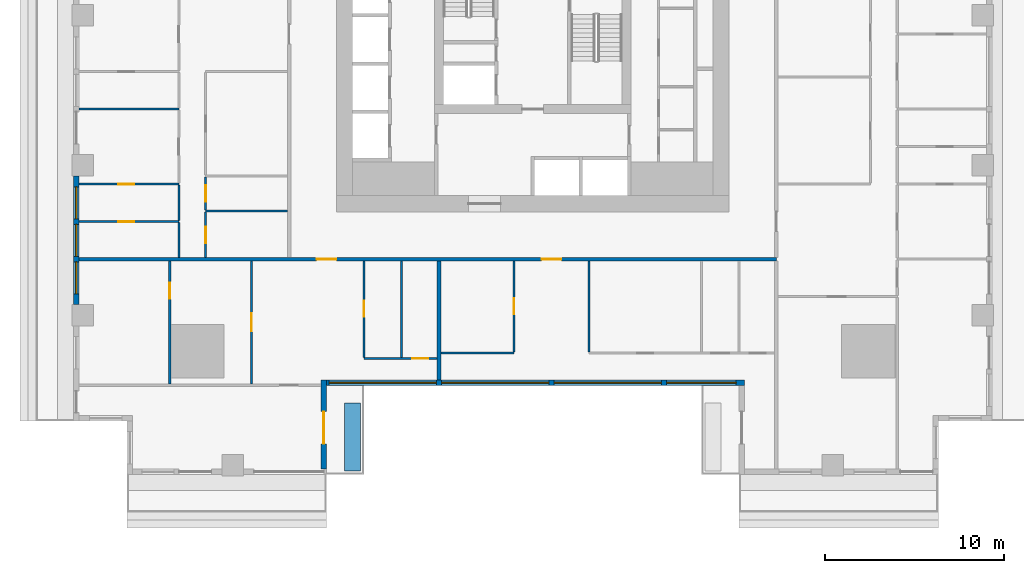
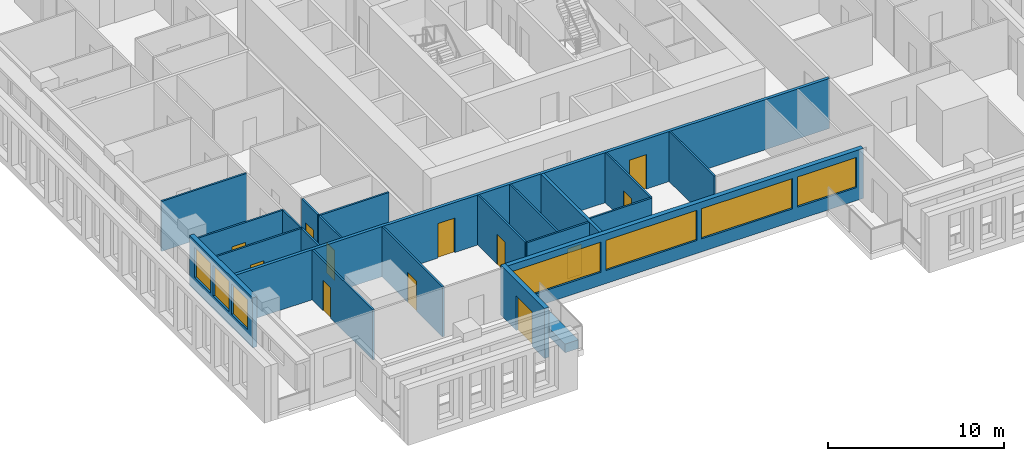
# One storey, part 2 of 15: 22 walls, 12 doors, 7 windows, 19 openings.
"""IFC4 building model written with IfcOpenShell, lengths in metres."""

from ifc_helpers import new_model, si_unit, direction, frame, frame_2d, origin, place, context, subcontext, project, spatial, rectangle, extrude, material, layer, layer_set, type_object, element, fill, save


model = new_model("IFC4")

# Units and contexts
model_context = context("Model", 3, precision=1e-05, world=origin(), true_north=direction((0.0, 1.0)))
body_context = subcontext(model_context, "Body", "Model", "MODEL_VIEW")
ifc_project = project(units=[si_unit("LENGTHUNIT", "METRE"), si_unit("AREAUNIT", "SQUARE_METRE"), si_unit("VOLUMEUNIT", "CUBIC_METRE"), si_unit("PLANEANGLEUNIT", "RADIAN"), si_unit("MASSUNIT", "GRAM", prefix="KILO")], contexts=[model_context])

# Site, building, storey
site_placement = place(None, origin())
site = spatial("IfcSite", under=ifc_project, at=site_placement, CompositionType="ELEMENT")
building_placement = place(site_placement, origin())
building = spatial("IfcBuilding", under=site, at=building_placement, Name="Khepri Terraces", CompositionType="ELEMENT")
storey_placement = place(building_placement, frame((0.0, 0.0, 58.199951171875)))
storey = spatial("IfcBuildingStorey", under=building, at=storey_placement, Name="L13", CompositionType="ELEMENT", Elevation=58.199951171875)

# Wall
ifc_material_1 = material(Name="Fire-rated gypsum plasterboard partition, mineral wool")
ifc_layer_1 = layer(ifc_material_1, 0.199951171875, Name="Fire-rated gypsum plasterboard partition, mineral wool")
ifc_layer_set_1 = layer_set([ifc_layer_1], Name="Fire-rated gypsum plasterboard partition, mineral wool")
wall_type_1 = type_object("IfcWallType", Name="WL-CORR-200", PredefinedType="PARTITIONING", material=ifc_layer_set_1)
wall_1_placement = place(storey_placement, frame((-5.25, -20.419921875, 0.0), z_axis=(0.0, 0.0, 1.0), x_axis=(0.0, 1.0, 0.0)))
element("IfcWall", 1, at=wall_1_placement, inside=storey, type_object=wall_type_1, Name="Partition P-004 L13", PredefinedType="PARTITIONING", context=body_context, shape_type="SweptSolid", body=[
    extrude(rectangle(XDim=6.669921875, YDim=0.199951171875, at=frame_2d((3.3349609375, 0.0))), origin(), (0.0, 0.0, 1.0), 3.47998046875),
])

# Wall, openings, doors
wall_2_placement = place(storey_placement, frame((-25.419921875, -13.64990234375, 0.0), z_axis=(0.0, 0.0, 1.0), x_axis=(1.0, 0.0, 0.0)))
wall_2 = element("IfcWall", 2, at=wall_2_placement, inside=storey, type_object=wall_type_1, Name="Partition P-018 L13", PredefinedType="PARTITIONING", context=body_context, shape_type="SweptSolid", body=[
    extrude(rectangle(XDim=39.06982421875, YDim=0.199951171875, at=frame_2d((19.534912109375, 0.0))), origin(), (0.0, 0.0, 1.0), 3.47998046875),
])
opening_1_placement = place(wall_2_placement, frame((13.320068359375, 0.0, 0.0)))
opening_1 = element("IfcOpeningElement", 3, at=opening_1_placement, cuts=wall_2, Name="Opening D1", PredefinedType="OPENING", context=body_context, shape_type="SweptSolid", body=[
    extrude(rectangle(XDim=1.10009765625, YDim=2.39990234375, at=frame_2d((0.550048828125, 1.199951171875))), frame((0.0, 0.10986328125, 0.0), z_axis=(0.0, -1.0, 0.0), x_axis=(1.0, 0.0, 0.0)), (0.0, 0.0, 1.0), 0.219970703125),
])
opening_2_placement = place(wall_2_placement, frame((25.919921875, 0.0, 0.0)))
opening_2 = element("IfcOpeningElement", 4, at=opening_2_placement, cuts=wall_2, Name="Opening D1", PredefinedType="OPENING", context=body_context, shape_type="SweptSolid", body=[
    extrude(rectangle(XDim=1.10009765625, YDim=2.39990234375, at=frame_2d((0.550048828125, 1.199951171875))), frame((0.0, 0.10986328125, 0.0), z_axis=(0.0, -1.0, 0.0), x_axis=(1.0, 0.0, 0.0)), (0.0, 0.0, 1.0), 0.219970703125),
])
ifc_material_2 = material(Name="Solid-core timber door leaf, flat entrance door", Category="wood")
door_type_1 = type_object("IfcDoorType", Name="DR-ENT-1100", OperationType="NOTDEFINED", PredefinedType="DOOR", material=ifc_material_2)
door_1_placement = place(opening_1_placement, frame((1.10009765625, 0.0, 0.0), z_axis=(0.0, 0.0, 1.0), x_axis=(-1.0, 0.0, 0.0)))
door_1 = element("IfcDoor", 5, at=door_1_placement, inside=storey, type_object=door_type_1, Name="Flat A1 entrance door", OperationType="SINGLE_SWING_RIGHT", OverallHeight=2.39990234375, OverallWidth=1.10009765625, PredefinedType="DOOR", context=body_context, shape_type="SweptSolid", body=[
    extrude(rectangle(XDim=1.10009765625, YDim=2.39990234375, at=frame_2d((0.550048828125, 1.199951171875))), frame((0.0, 0.02490234375, 0.0), z_axis=(0.0, -1.0, 0.0), x_axis=(1.0, 0.0, 0.0)), (0.0, 0.0, 1.0), 0.050048828125),
])
fill(opening_1, door_1)
door_2_placement = place(opening_2_placement, frame((1.10009765625, 0.0, 0.0), z_axis=(0.0, 0.0, 1.0), x_axis=(-1.0, 0.0, 0.0)))
door_2 = element("IfcDoor", 6, at=door_2_placement, inside=storey, type_object=door_type_1, Name="Flat A2 entrance door", OperationType="SINGLE_SWING_LEFT", OverallHeight=2.39990234375, OverallWidth=1.10009765625, PredefinedType="DOOR", context=body_context, shape_type="SweptSolid", body=[
    extrude(rectangle(XDim=1.10009765625, YDim=2.39990234375, at=frame_2d((0.550048828125, 1.199951171875))), frame((0.0, 0.02490234375, 0.0), z_axis=(0.0, -1.0, 0.0), x_axis=(1.0, 0.0, 0.0)), (0.0, 0.0, 1.0), 0.050048828125),
])
fill(opening_2, door_2)

# Wall, openings, windows
ifc_material_3 = material(Name="Precast concrete C50/60 warm stone", Category="masonry")
ifc_layer_2 = layer(ifc_material_3, 0.300048828125, Name="Precast concrete C50/60 warm stone", Category="masonry")
ifc_layer_set_2 = layer_set([ifc_layer_2], Name="Precast concrete C50/60 warm stone")
wall_type_2 = type_object("IfcWallType", Name="WL-EXT-PRECAST-300", PredefinedType="STANDARD", material=ifc_layer_set_2)
wall_3_placement = place(storey_placement, frame((-25.570068359375, -9.0, 0.0), z_axis=(0.0, 0.0, 1.0), x_axis=(0.0, -1.0, 0.0)))
wall_3 = element("IfcWall", 7, at=wall_3_placement, inside=storey, type_object=wall_type_2, Name="External wall L13 W", PredefinedType="STANDARD", context=body_context, shape_type="SweptSolid", body=[
    extrude(rectangle(XDim=7.199951171875, YDim=0.300048828125, at=frame_2d((3.60009765625, 0.0))), origin(), (0.0, 0.0, 1.0), 3.47998046875),
])
opening_3_placement = place(wall_3_placement, frame((0.60009765625, 0.0, 0.89990234375)))
opening_3 = element("IfcOpeningElement", 8, at=opening_3_placement, cuts=wall_3, Name="Opening W1", PredefinedType="OPENING", context=body_context, shape_type="SweptSolid", body=[
    extrude(rectangle(XDim=1.800048828125, YDim=2.10009765625, at=frame_2d((0.89990234375, 1.050048828125))), frame((0.0, 0.16015625, 0.0), z_axis=(0.0, -1.0, 0.0), x_axis=(1.0, 0.0, 0.0)), (0.0, 0.0, 1.0), 0.320068359375),
])
opening_4_placement = place(wall_3_placement, frame((2.699951171875, 0.0, 0.89990234375)))
opening_4 = element("IfcOpeningElement", 9, at=opening_4_placement, cuts=wall_3, Name="Opening W1", PredefinedType="OPENING", context=body_context, shape_type="SweptSolid", body=[
    extrude(rectangle(XDim=1.800048828125, YDim=2.10009765625, at=frame_2d((0.89990234375, 1.050048828125))), frame((0.0, 0.16015625, 0.0), z_axis=(0.0, -1.0, 0.0), x_axis=(1.0, 0.0, 0.0)), (0.0, 0.0, 1.0), 0.320068359375),
])
opening_5_placement = place(wall_3_placement, frame((4.800048828125, 0.0, 0.89990234375)))
opening_5 = element("IfcOpeningElement", 10, at=opening_5_placement, cuts=wall_3, Name="Opening W1", PredefinedType="OPENING", context=body_context, shape_type="SweptSolid", body=[
    extrude(rectangle(XDim=1.800048828125, YDim=2.10009765625, at=frame_2d((0.89990234375, 1.050048828125))), frame((0.0, 0.16015625, 0.0), z_axis=(0.0, -1.0, 0.0), x_axis=(1.0, 0.0, 0.0)), (0.0, 0.0, 1.0), 0.320068359375),
])
ifc_material_4 = material(Name="Clear glass", Category="glass")
window_type_1 = type_object("IfcWindowType", Name="WIN-RES-1800x2100", PartitioningType="SINGLE_PANEL", PredefinedType="WINDOW", material=ifc_material_4)
window_1_placement = place(opening_3_placement, origin())
window_1 = element("IfcWindow", 11, at=window_1_placement, inside=storey, type_object=window_type_1, Name="Window L13 W", OverallHeight=2.10009765625, OverallWidth=1.800048828125, PartitioningType="SINGLE_PANEL", PredefinedType="WINDOW", context=body_context, shape_type="SweptSolid", body=[
    extrude(rectangle(XDim=1.800048828125, YDim=2.10009765625, at=frame_2d((0.89990234375, 1.050048828125))), frame((0.0, 0.030029296875, 0.0), z_axis=(0.0, -1.0, 0.0), x_axis=(1.0, 0.0, 0.0)), (0.0, 0.0, 1.0), 0.06005859375),
])
fill(opening_3, window_1)
window_2_placement = place(opening_4_placement, origin())
window_2 = element("IfcWindow", 12, at=window_2_placement, inside=storey, type_object=window_type_1, Name="Window L13 W", OverallHeight=2.10009765625, OverallWidth=1.800048828125, PartitioningType="SINGLE_PANEL", PredefinedType="WINDOW", context=body_context, shape_type="SweptSolid", body=[
    extrude(rectangle(XDim=1.800048828125, YDim=2.10009765625, at=frame_2d((0.89990234375, 1.050048828125))), frame((0.0, 0.030029296875, 0.0), z_axis=(0.0, -1.0, 0.0), x_axis=(1.0, 0.0, 0.0)), (0.0, 0.0, 1.0), 0.06005859375),
])
fill(opening_4, window_2)
window_3_placement = place(opening_5_placement, origin())
window_3 = element("IfcWindow", 13, at=window_3_placement, inside=storey, type_object=window_type_1, Name="Window L13 W", OverallHeight=2.10009765625, OverallWidth=1.800048828125, PartitioningType="SINGLE_PANEL", PredefinedType="WINDOW", context=body_context, shape_type="SweptSolid", body=[
    extrude(rectangle(XDim=1.800048828125, YDim=2.10009765625, at=frame_2d((0.89990234375, 1.050048828125))), frame((0.0, 0.030029296875, 0.0), z_axis=(0.0, -1.0, 0.0), x_axis=(1.0, 0.0, 0.0)), (0.0, 0.0, 1.0), 0.06005859375),
])
fill(opening_5, window_3)

# Wall, opening, door
wall_4_placement = place(storey_placement, frame((-11.699951171875, -25.419921875, 0.0), z_axis=(0.0, 0.0, 1.0), x_axis=(0.0, 1.0, 0.0)))
wall_4 = element("IfcWall", 14, at=wall_4_placement, inside=storey, type_object=wall_type_2, Name="External wall L13 E", PredefinedType="STANDARD", context=body_context, shape_type="SweptSolid", body=[
    extrude(rectangle(XDim=5.0, YDim=0.300048828125, at=frame_2d((2.5, 0.0))), origin(), (0.0, 0.0, 1.0), 3.47998046875),
])
opening_6_placement = place(wall_4_placement, frame((1.419921875, 0.0, 0.0)))
opening_6 = element("IfcOpeningElement", 15, at=opening_6_placement, cuts=wall_4, Name="Opening ED-L13-19", PredefinedType="OPENING", context=body_context, shape_type="SweptSolid", body=[
    extrude(rectangle(XDim=1.800048828125, YDim=2.39990234375, at=frame_2d((0.89990234375, 1.199951171875))), frame((0.0, 0.16015625, 0.0), z_axis=(0.0, -1.0, 0.0), x_axis=(1.0, 0.0, 0.0)), (0.0, 0.0, 1.0), 0.320068359375),
])
ifc_material_5 = material(Name="Anodised aluminium bronze glazed door", Category="aluminium")
door_type_2 = type_object("IfcDoorType", Name="DR-BAL-SLIDE-1800x2400", OperationType="NOTDEFINED", PredefinedType="DOOR", material=ifc_material_5)
door_3_placement = place(opening_6_placement, origin())
door_3 = element("IfcDoor", 16, at=door_3_placement, inside=storey, type_object=door_type_2, Name="Balcony door L13 E", OperationType="SLIDING_TO_LEFT", OverallHeight=2.39990234375, OverallWidth=1.800048828125, PredefinedType="DOOR", context=body_context, shape_type="SweptSolid", body=[
    extrude(rectangle(XDim=1.800048828125, YDim=2.39990234375, at=frame_2d((0.89990234375, 1.199951171875))), frame((0.0, 0.02490234375, 0.0), z_axis=(0.0, -1.0, 0.0), x_axis=(1.0, 0.0, 0.0)), (0.0, 0.0, 1.0), 0.050048828125),
])
fill(opening_6, door_3)

# Wall, openings, windows
wall_5_placement = place(storey_placement, frame((-11.550048828125, -20.570068359375, 0.0), z_axis=(0.0, 0.0, 1.0), x_axis=(1.0, 0.0, 0.0)))
wall_5 = element("IfcWall", 17, at=wall_5_placement, inside=storey, type_object=wall_type_2, Name="External wall L13 S", PredefinedType="STANDARD", context=body_context, shape_type="SweptSolid", body=[
    extrude(rectangle(XDim=23.400146484375, YDim=0.300048828125, at=frame_2d((11.7001953125, 0.0))), origin(), (0.0, 0.0, 1.0), 3.47998046875),
])
opening_7_placement = place(wall_5_placement, frame((0.14990234375, 0.0, 0.89990234375)))
opening_7 = element("IfcOpeningElement", 18, at=opening_7_placement, cuts=wall_5, Name="Opening W3", PredefinedType="OPENING", context=body_context, shape_type="SweptSolid", body=[
    extrude(rectangle(XDim=6.0, YDim=2.10009765625, at=frame_2d((3.0, 1.050048828125))), frame((0.0, 0.16015625, 0.0), z_axis=(0.0, -1.0, 0.0), x_axis=(1.0, 0.0, 0.0)), (0.0, 0.0, 1.0), 0.320068359375),
])
opening_8_placement = place(wall_5_placement, frame((6.449951171875, 0.0, 0.89990234375)))
opening_8 = element("IfcOpeningElement", 19, at=opening_8_placement, cuts=wall_5, Name="Opening W3", PredefinedType="OPENING", context=body_context, shape_type="SweptSolid", body=[
    extrude(rectangle(XDim=6.0, YDim=2.10009765625, at=frame_2d((3.0, 1.050048828125))), frame((0.0, 0.16015625, 0.0), z_axis=(0.0, -1.0, 0.0), x_axis=(1.0, 0.0, 0.0)), (0.0, 0.0, 1.0), 0.320068359375),
])
opening_9_placement = place(wall_5_placement, frame((12.75, 0.0, 0.89990234375)))
opening_9 = element("IfcOpeningElement", 20, at=opening_9_placement, cuts=wall_5, Name="Opening W3", PredefinedType="OPENING", context=body_context, shape_type="SweptSolid", body=[
    extrude(rectangle(XDim=6.0, YDim=2.10009765625, at=frame_2d((3.0, 1.050048828125))), frame((0.0, 0.16015625, 0.0), z_axis=(0.0, -1.0, 0.0), x_axis=(1.0, 0.0, 0.0)), (0.0, 0.0, 1.0), 0.320068359375),
])
opening_10_placement = place(wall_5_placement, frame((19.050048828125, 0.0, 0.89990234375)))
opening_10 = element("IfcOpeningElement", 21, at=opening_10_placement, cuts=wall_5, Name="Opening W2", PredefinedType="OPENING", context=body_context, shape_type="SweptSolid", body=[
    extrude(rectangle(XDim=3.89990234375, YDim=2.10009765625, at=frame_2d((1.949951171875, 1.050048828125))), frame((0.0, 0.16015625, 0.0), z_axis=(0.0, -1.0, 0.0), x_axis=(1.0, 0.0, 0.0)), (0.0, 0.0, 1.0), 0.320068359375),
])
window_type_2 = type_object("IfcWindowType", Name="WIN-RES-3900x2100", PartitioningType="SINGLE_PANEL", PredefinedType="WINDOW", material=ifc_material_4)
window_4_placement = place(opening_10_placement, origin())
window_4 = element("IfcWindow", 22, at=window_4_placement, inside=storey, type_object=window_type_2, Name="Window L13 S", OverallHeight=2.10009765625, OverallWidth=3.89990234375, PartitioningType="SINGLE_PANEL", PredefinedType="WINDOW", context=body_context, shape_type="SweptSolid", body=[
    extrude(rectangle(XDim=3.89990234375, YDim=2.10009765625, at=frame_2d((1.949951171875, 1.050048828125))), frame((0.0, 0.030029296875, 0.0), z_axis=(0.0, -1.0, 0.0), x_axis=(1.0, 0.0, 0.0)), (0.0, 0.0, 1.0), 0.06005859375),
])
fill(opening_10, window_4)
window_type_3 = type_object("IfcWindowType", Name="WIN-RES-6000x2100", PartitioningType="SINGLE_PANEL", PredefinedType="WINDOW", material=ifc_material_4)
window_5_placement = place(opening_7_placement, origin())
window_5 = element("IfcWindow", 23, at=window_5_placement, inside=storey, type_object=window_type_3, Name="Window L13 S", OverallHeight=2.10009765625, OverallWidth=6.0, PartitioningType="SINGLE_PANEL", PredefinedType="WINDOW", context=body_context, shape_type="SweptSolid", body=[
    extrude(rectangle(XDim=6.0, YDim=2.10009765625, at=frame_2d((3.0, 1.050048828125))), frame((0.0, 0.030029296875, 0.0), z_axis=(0.0, -1.0, 0.0), x_axis=(1.0, 0.0, 0.0)), (0.0, 0.0, 1.0), 0.06005859375),
])
fill(opening_7, window_5)
window_6_placement = place(opening_8_placement, origin())
window_6 = element("IfcWindow", 24, at=window_6_placement, inside=storey, type_object=window_type_3, Name="Window L13 S", OverallHeight=2.10009765625, OverallWidth=6.0, PartitioningType="SINGLE_PANEL", PredefinedType="WINDOW", context=body_context, shape_type="SweptSolid", body=[
    extrude(rectangle(XDim=6.0, YDim=2.10009765625, at=frame_2d((3.0, 1.050048828125))), frame((0.0, 0.030029296875, 0.0), z_axis=(0.0, -1.0, 0.0), x_axis=(1.0, 0.0, 0.0)), (0.0, 0.0, 1.0), 0.06005859375),
])
fill(opening_8, window_6)
window_7_placement = place(opening_9_placement, origin())
window_7 = element("IfcWindow", 25, at=window_7_placement, inside=storey, type_object=window_type_3, Name="Window L13 S", OverallHeight=2.10009765625, OverallWidth=6.0, PartitioningType="SINGLE_PANEL", PredefinedType="WINDOW", context=body_context, shape_type="SweptSolid", body=[
    extrude(rectangle(XDim=6.0, YDim=2.10009765625, at=frame_2d((3.0, 1.050048828125))), frame((0.0, 0.030029296875, 0.0), z_axis=(0.0, -1.0, 0.0), x_axis=(1.0, 0.0, 0.0)), (0.0, 0.0, 1.0), 0.06005859375),
])
fill(opening_9, window_7)

# Wall, opening, door
ifc_material_6 = material(Name="Gypsum plasterboard partition")
ifc_layer_3 = layer(ifc_material_6, 0.1201171875, Name="Gypsum plasterboard partition")
ifc_layer_set_3 = layer_set([ifc_layer_3], Name="Gypsum plasterboard partition")
wall_type_3 = type_object("IfcWallType", Name="WL-PART-120", PredefinedType="PARTITIONING", material=ifc_layer_set_3)
wall_6_placement = place(storey_placement, frame((-20.333984375, -20.659912109375, 0.0), z_axis=(0.0, 0.0, 1.0), x_axis=(0.0, 1.0, 0.0)))
wall_6 = element("IfcWall", 26, at=wall_6_placement, inside=storey, type_object=wall_type_3, Name="Partition P-005 L13", PredefinedType="PARTITIONING", context=body_context, shape_type="SweptSolid", body=[
    extrude(rectangle(XDim=6.909912109375, YDim=0.1201171875, at=frame_2d((3.455078125, 0.0))), origin(), (0.0, 0.0, 1.0), 3.47998046875),
])
opening_11_placement = place(wall_6_placement, frame((4.79248046875, 0.0, 0.0)))
opening_11 = element("IfcOpeningElement", 27, at=opening_11_placement, cuts=wall_6, Name="Opening D3", PredefinedType="OPENING", context=body_context, shape_type="SweptSolid", body=[
    extrude(rectangle(XDim=0.89990234375, YDim=2.10009765625, at=frame_2d((0.449951171875, 1.050048828125))), frame((0.0, 0.070068359375, 0.0), z_axis=(0.0, -1.0, 0.0), x_axis=(1.0, 0.0, 0.0)), (0.0, 0.0, 1.0), 0.14013671875),
])
ifc_material_7 = material(Name="Timber door leaf", Category="wood")
door_type_3 = type_object("IfcDoorType", Name="DR-INT-900", OperationType="NOTDEFINED", PredefinedType="DOOR", material=ifc_material_7)
door_4_placement = place(opening_11_placement, origin())
door_4 = element("IfcDoor", 28, at=door_4_placement, inside=storey, type_object=door_type_3, Name="Door Staff Bedroom", OperationType="SINGLE_SWING_RIGHT", OverallHeight=2.10009765625, OverallWidth=0.89990234375, PredefinedType="DOOR", context=body_context, shape_type="SweptSolid", body=[
    extrude(rectangle(XDim=0.89990234375, YDim=2.10009765625, at=frame_2d((0.449951171875, 1.050048828125))), frame((0.0, 0.02490234375, 0.0), z_axis=(0.0, -1.0, 0.0), x_axis=(1.0, 0.0, 0.0)), (0.0, 0.0, 1.0), 0.050048828125),
])
fill(opening_11, door_4)

wall_7_placement = place(storey_placement, frame((-15.75, -20.659912109375, 0.0), z_axis=(0.0, 0.0, 1.0), x_axis=(0.0, 1.0, 0.0)))
wall_7 = element("IfcWall", 29, at=wall_7_placement, inside=storey, type_object=wall_type_3, Name="Partition P-006 L13", PredefinedType="PARTITIONING", context=body_context, shape_type="SweptSolid", body=[
    extrude(rectangle(XDim=6.909912109375, YDim=0.1201171875, at=frame_2d((3.455078125, 0.0))), origin(), (0.0, 0.0, 1.0), 3.47998046875),
])
opening_12_placement = place(wall_7_placement, frame((2.97509765625, 0.0, 0.0)))
opening_12 = element("IfcOpeningElement", 30, at=opening_12_placement, cuts=wall_7, Name="Opening D2", PredefinedType="OPENING", context=body_context, shape_type="SweptSolid", body=[
    extrude(rectangle(XDim=1.0, YDim=2.10009765625, at=frame_2d((0.5, 1.050048828125))), frame((0.0, 0.070068359375, 0.0), z_axis=(0.0, -1.0, 0.0), x_axis=(1.0, 0.0, 0.0)), (0.0, 0.0, 1.0), 0.14013671875),
])
ifc_material_8 = material(Name="Timber door leaf, living room door", Category="wood")
door_type_4 = type_object("IfcDoorType", Name="DR-INT-1000", OperationType="NOTDEFINED", PredefinedType="DOOR", material=ifc_material_8)
door_5_placement = place(opening_12_placement, origin())
door_5 = element("IfcDoor", 31, at=door_5_placement, inside=storey, type_object=door_type_4, Name="Door Family Room", OperationType="SINGLE_SWING_RIGHT", OverallHeight=2.10009765625, OverallWidth=1.0, PredefinedType="DOOR", context=body_context, shape_type="SweptSolid", body=[
    extrude(rectangle(XDim=1.0, YDim=2.10009765625, at=frame_2d((0.5, 1.050048828125))), frame((0.0, 0.02490234375, 0.0), z_axis=(0.0, -1.0, 0.0), x_axis=(1.0, 0.0, 0.0)), (0.0, 0.0, 1.0), 0.050048828125),
])
fill(opening_12, door_5)

wall_8_placement = place(storey_placement, frame((-9.449951171875, -19.219970703125, 0.0), z_axis=(0.0, 0.0, 1.0), x_axis=(1.0, 0.0, 0.0)))
wall_8 = element("IfcWall", 32, at=wall_8_placement, inside=storey, type_object=wall_type_3, Name="Partition P-007 L13", PredefinedType="PARTITIONING", context=body_context, shape_type="SweptSolid", body=[
    extrude(rectangle(XDim=4.099853515625, YDim=0.1201171875, at=frame_2d((2.0498046875, 0.0))), origin(), (0.0, 0.0, 1.0), 3.47998046875),
])
opening_13_placement = place(wall_8_placement, frame((2.699951171875, 0.0, 0.0)))
opening_13 = element("IfcOpeningElement", 33, at=opening_13_placement, cuts=wall_8, Name="Opening D3", PredefinedType="OPENING", context=body_context, shape_type="SweptSolid", body=[
    extrude(rectangle(XDim=0.89990234375, YDim=2.10009765625, at=frame_2d((0.449951171875, 1.050048828125))), frame((0.0, 0.070068359375, 0.0), z_axis=(0.0, -1.0, 0.0), x_axis=(1.0, 0.0, 0.0)), (0.0, 0.0, 1.0), 0.14013671875),
])
door_6_placement = place(opening_13_placement, origin())
door_6 = element("IfcDoor", 34, at=door_6_placement, inside=storey, type_object=door_type_3, Name="Door Kitchen", OperationType="SINGLE_SWING_RIGHT", OverallHeight=2.10009765625, OverallWidth=0.89990234375, PredefinedType="DOOR", context=body_context, shape_type="SweptSolid", body=[
    extrude(rectangle(XDim=0.89990234375, YDim=2.10009765625, at=frame_2d((0.449951171875, 1.050048828125))), frame((0.0, 0.02490234375, 0.0), z_axis=(0.0, -1.0, 0.0), x_axis=(1.0, 0.0, 0.0)), (0.0, 0.0, 1.0), 0.050048828125),
])
fill(opening_13, door_6)

wall_9_placement = place(storey_placement, frame((-9.449951171875, -19.159912109375, 0.0), z_axis=(0.0, 0.0, 1.0), x_axis=(0.0, 1.0, 0.0)))
wall_9 = element("IfcWall", 35, at=wall_9_placement, inside=storey, type_object=wall_type_3, Name="Partition P-008 L13", PredefinedType="PARTITIONING", context=body_context, shape_type="SweptSolid", body=[
    extrude(rectangle(XDim=5.409912109375, YDim=0.1201171875, at=frame_2d((2.705078125, 0.0))), origin(), (0.0, 0.0, 1.0), 3.47998046875),
])
opening_14_placement = place(wall_9_placement, frame((2.27490234375, 0.0, 0.0)))
opening_14 = element("IfcOpeningElement", 36, at=opening_14_placement, cuts=wall_9, Name="Opening D4", PredefinedType="OPENING", context=body_context, shape_type="SweptSolid", body=[
    extrude(rectangle(XDim=0.89990234375, YDim=2.10009765625, at=frame_2d((0.449951171875, 1.050048828125))), frame((0.0, 0.070068359375, 0.0), z_axis=(0.0, -1.0, 0.0), x_axis=(1.0, 0.0, 0.0)), (0.0, 0.0, 1.0), 0.14013671875),
])
ifc_material_9 = material(Name="Timber door leaf, moisture resistant", Category="wood")
door_type_5 = type_object("IfcDoorType", Name="DR-WET-900", OperationType="NOTDEFINED", PredefinedType="DOOR", material=ifc_material_9)
door_7_placement = place(opening_14_placement, frame((0.89990234375, 0.0, 0.0), z_axis=(0.0, 0.0, 1.0), x_axis=(-1.0, 0.0, 0.0)))
door_7 = element("IfcDoor", 37, at=door_7_placement, inside=storey, type_object=door_type_5, Name="Door Guest Bathroom", OperationType="SINGLE_SWING_LEFT", OverallHeight=2.10009765625, OverallWidth=0.89990234375, PredefinedType="DOOR", context=body_context, shape_type="SweptSolid", body=[
    extrude(rectangle(XDim=0.89990234375, YDim=2.10009765625, at=frame_2d((0.449951171875, 1.050048828125))), frame((0.0, 0.02490234375, 0.0), z_axis=(0.0, -1.0, 0.0), x_axis=(1.0, 0.0, 0.0)), (0.0, 0.0, 1.0), 0.050048828125),
])
fill(opening_14, door_7)

# Walls
wall_10_placement = place(storey_placement, frame((-7.35009765625, -19.159912109375, 0.0), z_axis=(0.0, 0.0, 1.0), x_axis=(0.0, 1.0, 0.0)))
element("IfcWall", 38, at=wall_10_placement, inside=storey, type_object=wall_type_3, Name="Partition P-009 L13", PredefinedType="PARTITIONING", context=body_context, shape_type="SweptSolid", body=[
    extrude(rectangle(XDim=5.409912109375, YDim=0.1201171875, at=frame_2d((2.705078125, 0.0))), origin(), (0.0, 0.0, 1.0), 3.47998046875),
])
wall_11_placement = place(storey_placement, frame((-5.14990234375, -18.919921875, 0.0), z_axis=(0.0, 0.0, 1.0), x_axis=(1.0, 0.0, 0.0)))
element("IfcWall", 39, at=wall_11_placement, inside=storey, type_object=wall_type_3, Name="Partition P-010 L13", PredefinedType="PARTITIONING", context=body_context, shape_type="SweptSolid", body=[
    extrude(rectangle(XDim=4.099853515625, YDim=0.1201171875, at=frame_2d((2.0498046875, 0.0))), origin(), (0.0, 0.0, 1.0), 3.47998046875),
])

# Wall, opening, door
wall_12_placement = place(storey_placement, frame((-1.050048828125, -18.860107421875, 0.0), z_axis=(0.0, 0.0, 1.0), x_axis=(0.0, 1.0, 0.0)))
wall_12 = element("IfcWall", 40, at=wall_12_placement, inside=storey, type_object=wall_type_3, Name="Partition P-012 L13", PredefinedType="PARTITIONING", context=body_context, shape_type="SweptSolid", body=[
    extrude(rectangle(XDim=5.110107421875, YDim=0.1201171875, at=frame_2d((2.55517578125, 0.0))), origin(), (0.0, 0.0, 1.0), 3.47998046875),
])
opening_15_placement = place(wall_12_placement, frame((2.125, 0.0, 0.0)))
opening_15 = element("IfcOpeningElement", 41, at=opening_15_placement, cuts=wall_12, Name="Opening D3", PredefinedType="OPENING", context=body_context, shape_type="SweptSolid", body=[
    extrude(rectangle(XDim=0.89990234375, YDim=2.10009765625, at=frame_2d((0.449951171875, 1.050048828125))), frame((0.0, 0.070068359375, 0.0), z_axis=(0.0, -1.0, 0.0), x_axis=(1.0, 0.0, 0.0)), (0.0, 0.0, 1.0), 0.14013671875),
])
door_8_placement = place(opening_15_placement, origin())
door_8 = element("IfcDoor", 42, at=door_8_placement, inside=storey, type_object=door_type_3, Name="Door Staff Bedroom", OperationType="SINGLE_SWING_RIGHT", OverallHeight=2.10009765625, OverallWidth=0.89990234375, PredefinedType="DOOR", context=body_context, shape_type="SweptSolid", body=[
    extrude(rectangle(XDim=0.89990234375, YDim=2.10009765625, at=frame_2d((0.449951171875, 1.050048828125))), frame((0.0, 0.02490234375, 0.0), z_axis=(0.0, -1.0, 0.0), x_axis=(1.0, 0.0, 0.0)), (0.0, 0.0, 1.0), 0.050048828125),
])
fill(opening_15, door_8)

# Walls
wall_13_placement = place(storey_placement, frame((3.14990234375, -18.860107421875, 0.0), z_axis=(0.0, 0.0, 1.0), x_axis=(0.0, 1.0, 0.0)))
element("IfcWall", 43, at=wall_13_placement, inside=storey, type_object=wall_type_3, Name="Partition P-013 L13", PredefinedType="PARTITIONING", context=body_context, shape_type="SweptSolid", body=[
    extrude(rectangle(XDim=5.110107421875, YDim=0.1201171875, at=frame_2d((2.55517578125, 0.0))), origin(), (0.0, 0.0, 1.0), 3.47998046875),
])
wall_14_placement = place(storey_placement, frame((-19.820068359375, -13.550048828125, 0.0), z_axis=(0.0, 0.0, 1.0), x_axis=(0.0, 1.0, 0.0)))
element("IfcWall", 44, at=wall_14_placement, inside=storey, type_object=wall_type_3, Name="Partition P-021 L13", PredefinedType="PARTITIONING", context=body_context, shape_type="SweptSolid", body=[
    extrude(rectangle(XDim=1.93994140625, YDim=0.1201171875, at=frame_2d((0.969970703125, 0.0))), origin(), (0.0, 0.0, 1.0), 3.47998046875),
])

# Wall, opening, door
wall_15_placement = place(storey_placement, frame((-18.320068359375, -13.550048828125, 0.0), z_axis=(0.0, 0.0, 1.0), x_axis=(0.0, 1.0, 0.0)))
wall_15 = element("IfcWall", 45, at=wall_15_placement, inside=storey, type_object=wall_type_3, Name="Partition P-022 L13", PredefinedType="PARTITIONING", context=body_context, shape_type="SweptSolid", body=[
    extrude(rectangle(XDim=2.5400390625, YDim=0.1201171875, at=frame_2d((1.27001953125, 0.0))), origin(), (0.0, 0.0, 1.0), 3.47998046875),
])
opening_16_placement = place(wall_15_placement, frame((0.800048828125, 0.0, 0.0)))
opening_16 = element("IfcOpeningElement", 46, at=opening_16_placement, cuts=wall_15, Name="Opening D4", PredefinedType="OPENING", context=body_context, shape_type="SweptSolid", body=[
    extrude(rectangle(XDim=0.89990234375, YDim=2.10009765625, at=frame_2d((0.449951171875, 1.050048828125))), frame((0.0, 0.070068359375, 0.0), z_axis=(0.0, -1.0, 0.0), x_axis=(1.0, 0.0, 0.0)), (0.0, 0.0, 1.0), 0.14013671875),
])
door_9_placement = place(opening_16_placement, frame((0.89990234375, 0.0, 0.0), z_axis=(0.0, 0.0, 1.0), x_axis=(-1.0, 0.0, 0.0)))
door_9 = element("IfcDoor", 47, at=door_9_placement, inside=storey, type_object=door_type_5, Name="Door Guest Bathroom", OperationType="SINGLE_SWING_RIGHT", OverallHeight=2.10009765625, OverallWidth=0.89990234375, PredefinedType="DOOR", context=body_context, shape_type="SweptSolid", body=[
    extrude(rectangle(XDim=0.89990234375, YDim=2.10009765625, at=frame_2d((0.449951171875, 1.050048828125))), frame((0.0, 0.02490234375, 0.0), z_axis=(0.0, -1.0, 0.0), x_axis=(1.0, 0.0, 0.0)), (0.0, 0.0, 1.0), 0.050048828125),
])
fill(opening_16, door_9)

wall_16_placement = place(storey_placement, frame((-25.419921875, -11.550048828125, 0.0), z_axis=(0.0, 0.0, 1.0), x_axis=(1.0, 0.0, 0.0)))
wall_16 = element("IfcWall", 48, at=wall_16_placement, inside=storey, type_object=wall_type_3, Name="Partition P-025 L13", PredefinedType="PARTITIONING", context=body_context, shape_type="SweptSolid", body=[
    extrude(rectangle(XDim=5.599853515625, YDim=0.1201171875, at=frame_2d((2.7998046875, 0.0))), origin(), (0.0, 0.0, 1.0), 3.47998046875),
])
opening_17_placement = place(wall_16_placement, frame((2.199951171875, 0.0, 0.0)))
opening_17 = element("IfcOpeningElement", 49, at=opening_17_placement, cuts=wall_16, Name="Opening D4", PredefinedType="OPENING", context=body_context, shape_type="SweptSolid", body=[
    extrude(rectangle(XDim=0.89990234375, YDim=2.10009765625, at=frame_2d((0.449951171875, 1.050048828125))), frame((0.0, 0.070068359375, 0.0), z_axis=(0.0, -1.0, 0.0), x_axis=(1.0, 0.0, 0.0)), (0.0, 0.0, 1.0), 0.14013671875),
])
door_10_placement = place(opening_17_placement, frame((0.89990234375, 0.0, 0.0), z_axis=(0.0, 0.0, 1.0), x_axis=(-1.0, 0.0, 0.0)))
door_10 = element("IfcDoor", 50, at=door_10_placement, inside=storey, type_object=door_type_5, Name="Door Bathroom", OperationType="SINGLE_SWING_RIGHT", OverallHeight=2.10009765625, OverallWidth=0.89990234375, PredefinedType="DOOR", context=body_context, shape_type="SweptSolid", body=[
    extrude(rectangle(XDim=0.89990234375, YDim=2.10009765625, at=frame_2d((0.449951171875, 1.050048828125))), frame((0.0, 0.02490234375, 0.0), z_axis=(0.0, -1.0, 0.0), x_axis=(1.0, 0.0, 0.0)), (0.0, 0.0, 1.0), 0.050048828125),
])
fill(opening_17, door_10)

# Walls
wall_17_placement = place(storey_placement, frame((-19.820068359375, -11.489990234375, 0.0), z_axis=(0.0, 0.0, 1.0), x_axis=(0.0, 1.0, 0.0)))
element("IfcWall", 51, at=wall_17_placement, inside=storey, type_object=wall_type_3, Name="Partition P-026 L13", PredefinedType="PARTITIONING", context=body_context, shape_type="SweptSolid", body=[
    extrude(rectangle(XDim=1.97998046875, YDim=0.1201171875, at=frame_2d((0.989990234375, 0.0))), origin(), (0.0, 0.0, 1.0), 3.47998046875),
])
wall_18_placement = place(storey_placement, frame((-18.320068359375, -10.949951171875, 0.0), z_axis=(0.0, 0.0, 1.0), x_axis=(1.0, 0.0, 0.0)))
element("IfcWall", 52, at=wall_18_placement, inside=storey, type_object=wall_type_3, Name="Partition P-027 L13", PredefinedType="PARTITIONING", context=body_context, shape_type="SweptSolid", body=[
    extrude(rectangle(XDim=4.570068359375, YDim=0.1201171875, at=frame_2d((2.28515625, 0.0))), origin(), (0.0, 0.0, 1.0), 3.47998046875),
])

# Wall, opening, door
wall_19_placement = place(storey_placement, frame((-18.320068359375, -10.889892578125, 0.0), z_axis=(0.0, 0.0, 1.0), x_axis=(0.0, 1.0, 0.0)))
wall_19 = element("IfcWall", 53, at=wall_19_placement, inside=storey, type_object=wall_type_3, Name="Partition P-028 L13", PredefinedType="PARTITIONING", context=body_context, shape_type="SweptSolid", body=[
    extrude(rectangle(XDim=1.829833984375, YDim=0.1201171875, at=frame_2d((0.9150390625, 0.0))), origin(), (0.0, 0.0, 1.0), 3.47998046875),
])
opening_18_placement = place(wall_19_placement, frame((0.465087890625, 0.0, 0.0)))
opening_18 = element("IfcOpeningElement", 54, at=opening_18_placement, cuts=wall_19, Name="Opening D4", PredefinedType="OPENING", context=body_context, shape_type="SweptSolid", body=[
    extrude(rectangle(XDim=0.89990234375, YDim=2.10009765625, at=frame_2d((0.449951171875, 1.050048828125))), frame((0.0, 0.070068359375, 0.0), z_axis=(0.0, -1.0, 0.0), x_axis=(1.0, 0.0, 0.0)), (0.0, 0.0, 1.0), 0.14013671875),
])
door_11_placement = place(opening_18_placement, frame((0.89990234375, 0.0, 0.0), z_axis=(0.0, 0.0, 1.0), x_axis=(-1.0, 0.0, 0.0)))
door_11 = element("IfcDoor", 55, at=door_11_placement, inside=storey, type_object=door_type_5, Name="Door Powder Room", OperationType="SINGLE_SWING_LEFT", OverallHeight=2.10009765625, OverallWidth=0.89990234375, PredefinedType="DOOR", context=body_context, shape_type="SweptSolid", body=[
    extrude(rectangle(XDim=0.89990234375, YDim=2.10009765625, at=frame_2d((0.449951171875, 1.050048828125))), frame((0.0, 0.02490234375, 0.0), z_axis=(0.0, -1.0, 0.0), x_axis=(1.0, 0.0, 0.0)), (0.0, 0.0, 1.0), 0.050048828125),
])
fill(opening_18, door_11)

wall_20_placement = place(storey_placement, frame((-25.419921875, -9.449951171875, 0.0), z_axis=(0.0, 0.0, 1.0), x_axis=(1.0, 0.0, 0.0)))
wall_20 = element("IfcWall", 56, at=wall_20_placement, inside=storey, type_object=wall_type_3, Name="Partition P-029 L13", PredefinedType="PARTITIONING", context=body_context, shape_type="SweptSolid", body=[
    extrude(rectangle(XDim=5.599853515625, YDim=0.1201171875, at=frame_2d((2.7998046875, 0.0))), origin(), (0.0, 0.0, 1.0), 3.47998046875),
])
opening_19_placement = place(wall_20_placement, frame((2.199951171875, 0.0, 0.0)))
opening_19 = element("IfcOpeningElement", 57, at=opening_19_placement, cuts=wall_20, Name="Opening D3", PredefinedType="OPENING", context=body_context, shape_type="SweptSolid", body=[
    extrude(rectangle(XDim=0.89990234375, YDim=2.10009765625, at=frame_2d((0.449951171875, 1.050048828125))), frame((0.0, 0.070068359375, 0.0), z_axis=(0.0, -1.0, 0.0), x_axis=(1.0, 0.0, 0.0)), (0.0, 0.0, 1.0), 0.14013671875),
])
door_12_placement = place(opening_19_placement, frame((0.89990234375, 0.0, 0.0), z_axis=(0.0, 0.0, 1.0), x_axis=(-1.0, 0.0, 0.0)))
door_12 = element("IfcDoor", 58, at=door_12_placement, inside=storey, type_object=door_type_3, Name="Door Dressing Room", OperationType="SINGLE_SWING_RIGHT", OverallHeight=2.10009765625, OverallWidth=0.89990234375, PredefinedType="DOOR", context=body_context, shape_type="SweptSolid", body=[
    extrude(rectangle(XDim=0.89990234375, YDim=2.10009765625, at=frame_2d((0.449951171875, 1.050048828125))), frame((0.0, 0.02490234375, 0.0), z_axis=(0.0, -1.0, 0.0), x_axis=(1.0, 0.0, 0.0)), (0.0, 0.0, 1.0), 0.050048828125),
])
fill(opening_19, door_12)

# Walls
wall_21_placement = place(storey_placement, frame((-25.419921875, -5.25, 0.0), z_axis=(0.0, 0.0, 1.0), x_axis=(1.0, 0.0, 0.0)))
element("IfcWall", 59, at=wall_21_placement, inside=storey, type_object=wall_type_3, Name="Partition P-039 L13", PredefinedType="PARTITIONING", context=body_context, shape_type="SweptSolid", body=[
    extrude(rectangle(XDim=5.599853515625, YDim=0.1201171875, at=frame_2d((2.7998046875, 0.0))), origin(), (0.0, 0.0, 1.0), 3.47998046875),
])
ifc_layer_4 = layer(ifc_material_3, 0.89990234375, Name="Precast concrete C50/60 warm stone", Category="masonry")
ifc_layer_set_4 = layer_set([ifc_layer_4], Name="Precast concrete C50/60 warm stone")
wall_type_4 = type_object("IfcWallType", Name="WL-PLANTER-900", PredefinedType="MOVABLE", material=ifc_layer_set_4)
wall_22_placement = place(storey_placement, frame((-10.10009765625, -25.52001953125, 0.0), z_axis=(0.0, 0.0, 1.0), x_axis=(0.0, 1.0, 0.0)))
element("IfcWall", 60, at=wall_22_placement, inside=storey, type_object=wall_type_4, Name="Planter L13", PredefinedType="MOVABLE", context=body_context, shape_type="SweptSolid", body=[
    extrude(rectangle(XDim=3.800048828125, YDim=0.89990234375, at=frame_2d((1.89990234375, 0.0))), origin(), (0.0, 0.0, 1.0), 0.60009765625),
])

save(model, "model.ifc")
